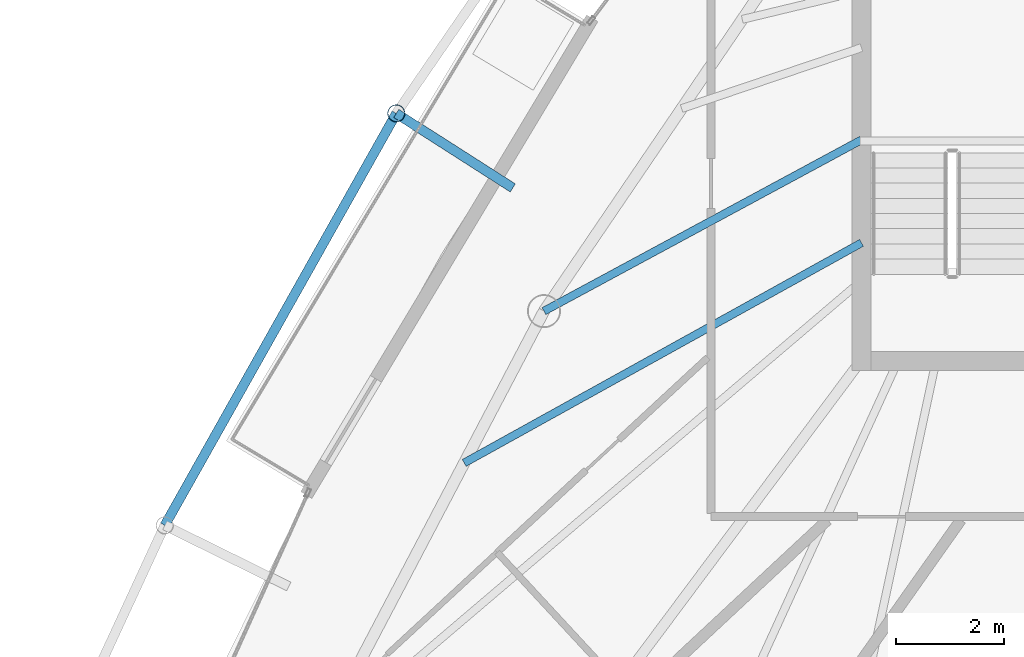
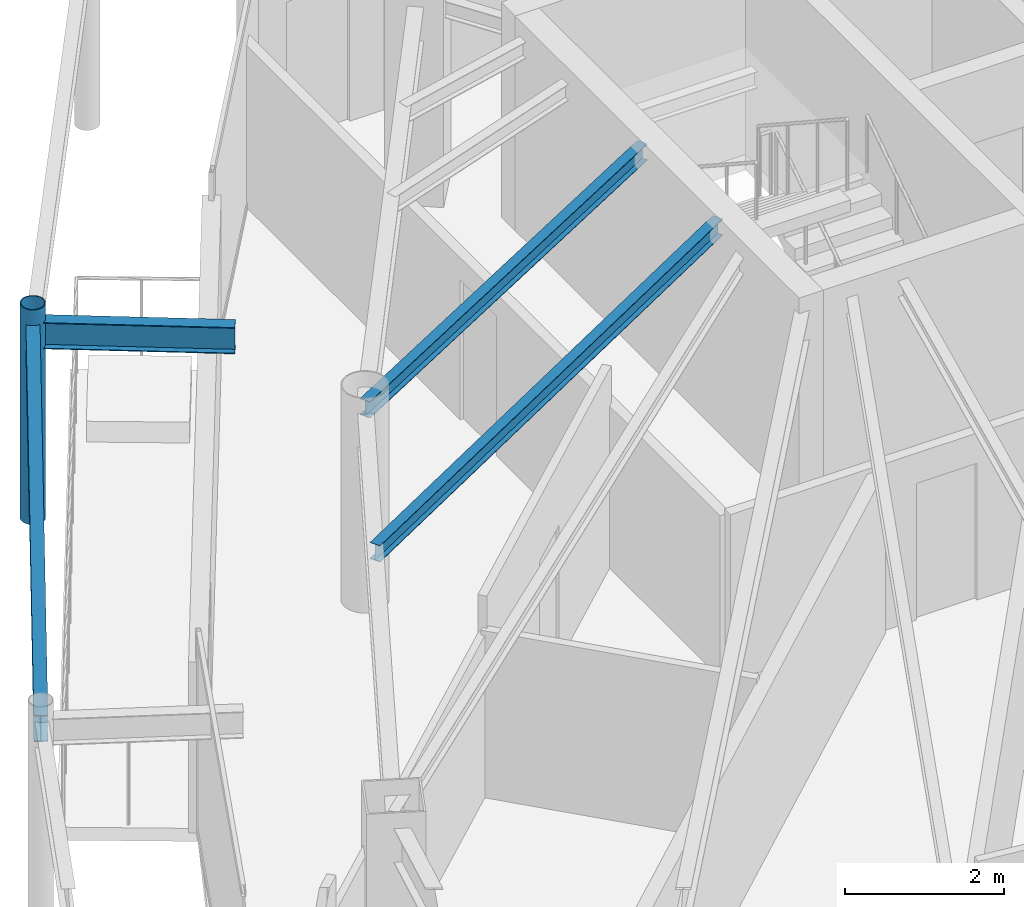
# One storey, part 11 of 32: 4 beams, 1 member.
"""IFC4 building model written with IfcOpenShell, lengths in metres."""

from ifc_helpers import new_model, si_unit, direction, frame, origin, origin_2d, place, context, subcontext, project, spatial, hollow_circle, i_section, extrude, material, material_profile, profile_set, type_object, element, save


model = new_model("IFC4")

# Units and contexts
model_context = context("Model", 3, precision=1e-05, world=origin(), true_north=direction((0.0, 1.0)))
body_context = subcontext(model_context, "Body", "Model", "MODEL_VIEW")
ifc_project = project(units=[si_unit("LENGTHUNIT", "METRE"), si_unit("AREAUNIT", "SQUARE_METRE"), si_unit("VOLUMEUNIT", "CUBIC_METRE"), si_unit("PLANEANGLEUNIT", "RADIAN"), si_unit("MASSUNIT", "GRAM", prefix="KILO")], contexts=[model_context])

# Site, building, storey
site_placement = place(None, origin())
site = spatial("IfcSite", under=ifc_project, at=site_placement, CompositionType="ELEMENT")
building_placement = place(site_placement, origin())
building = spatial("IfcBuilding", under=site, at=building_placement, Name="Orvanel Arch Residences", CompositionType="ELEMENT")
storey_placement = place(building_placement, frame((0.0, 0.0, 216.199951171875)))
storey = spatial("IfcBuildingStorey", under=building, at=storey_placement, Name="L61", CompositionType="ELEMENT", Elevation=216.199951171875)

# Beams
ifc_material_1 = material(Name="Structural steel AS/NZS 3679.1 Grade 300 (300 MPa)", Category="steel")
ifc_material_profile_1 = material_profile(ifc_material_1, i_section(OverallWidth=0.14599609375, OverallDepth=0.251953125, WebThickness=0.006103515625, FlangeThickness=0.008544921875, at=origin_2d()), Name="250UB31.4")
ifc_profile_set_1 = profile_set([ifc_material_profile_1], Name="Structural steel AS/NZS 3679.1 Grade 300 (300 MPa)")
beam_type_1 = type_object("IfcBeamType", Name="BJ-250UB", PredefinedType="JOIST", material=ifc_profile_set_1)
beam_1_placement = place(storey_placement, frame((26.425048828125, 30.800048828125, 2.93408203125), z_axis=(-0.880111494021, -0.474767056664, 0.0), x_axis=(0.474767056664, -0.880111494021, 0.0)))
element("IfcBeam", 1, at=beam_1_placement, inside=storey, type_object=beam_type_1, Name="L61 NW Wing Floor Joist", PredefinedType="JOIST", context=body_context, shape_type="SweptSolid", body=[
    extrude(i_section(OverallWidth=0.14599609375, OverallDepth=0.251953125, WebThickness=0.006103515625, FlangeThickness=0.008544921875, at=origin_2d()), origin(), (0.0, 0.0, 1.0), 6.653564453125),
])
beam_2_placement = place(storey_placement, frame((26.425048828125, 28.89990234375, 2.93408203125), z_axis=(-0.874754673235, -0.484566054996, 0.0), x_axis=(0.484566054996, -0.874754673235, 0.0)))
element("IfcBeam", 2, at=beam_2_placement, inside=storey, type_object=beam_type_1, Name="L61 CTW Wing Floor Joist", PredefinedType="JOIST", context=body_context, shape_type="SweptSolid", body=[
    extrude(i_section(OverallWidth=0.14599609375, OverallDepth=0.251953125, WebThickness=0.006103515625, FlangeThickness=0.008544921875, at=origin_2d()), origin(), (0.0, 0.0, 1.0), 8.376220703125),
])
ifc_material_profile_2 = material_profile(ifc_material_1, i_section(OverallWidth=0.177978515625, OverallDepth=0.406005859375, WebThickness=0.0078125, FlangeThickness=0.0126953125, at=origin_2d()), Name="410UB59.7")
ifc_profile_set_2 = profile_set([ifc_material_profile_2], Name="Structural steel AS/NZS 3679.1 Grade 300 (300 MPa)")
beam_type_2 = type_object("IfcBeamType", Name="OB-410UB-EXT", PredefinedType="SPANDREL", material=ifc_profile_set_2)
beam_3_placement = place(storey_placement, frame((19.993896484375, 29.9130859375, 2.85693359375), z_axis=(-0.842389625194, 0.53886892596, 0.0), x_axis=(-0.53886892596, -0.842389625194, 0.0)))
element("IfcBeam", 3, at=beam_3_placement, inside=storey, type_object=beam_type_2, Name="L61 Outer Frame Radial Tie Beam 02", PredefinedType="SPANDREL", context=body_context, shape_type="SweptSolid", body=[
    extrude(i_section(OverallWidth=0.177978515625, OverallDepth=0.406005859375, WebThickness=0.0078125, FlangeThickness=0.0126953125, at=origin_2d()), origin(), (0.0, 0.0, 1.0), 2.5498046875),
])
beam_4_placement = place(storey_placement, frame((17.845947265625, 31.287109375, 2.85693359375), z_axis=(-0.489965941625, -0.871741576414, 0.0), x_axis=(0.871741576414, -0.489965941625, 0.0)))
element("IfcBeam", 4, at=beam_4_placement, inside=storey, type_object=beam_type_2, Name="L61 Outer Perimeter Floor Ring Beam 02", PredefinedType="SPANDREL", context=body_context, shape_type="SweptSolid", body=[
    extrude(i_section(OverallWidth=0.177978515625, OverallDepth=0.406005859375, WebThickness=0.0078125, FlangeThickness=0.0126953125, at=origin_2d()), origin(), (0.0, 0.0, 1.0), 8.71484375),
])

# Member
ifc_material_2 = material(Name="Structural steel AS/NZS 1163 C350L0 (Grade 350)", Category="steel")
ifc_material_profile_3 = material_profile(ifc_material_2, hollow_circle(Radius=0.162109375, WallThickness=0.0126953125, at=origin_2d()), Name="CHS324x12.7")
ifc_profile_set_3 = profile_set([ifc_material_profile_3], Name="Structural steel AS/NZS 1163 C350L0 (Grade 350)")
member_type = type_object("IfcMemberType", Name="ST-324CHS-EXT", PredefinedType="STRUT", material=ifc_profile_set_3)
member_placement = place(storey_placement, frame((17.845947265625, 31.287109375, 0.0), z_axis=(0.0, 0.0, 1.0), x_axis=(1.0, 0.0, 0.0)))
element("IfcMember", 5, at=member_placement, inside=storey, type_object=member_type, Name="L61 Outer Perimeter Frame Post 02", PredefinedType="STRUT", context=body_context, shape_type="SweptSolid", body=[
    extrude(hollow_circle(Radius=0.162109375, WallThickness=0.0126953125, at=origin_2d()), origin(), (0.0, 0.0, 1.0), 3.300048828125),
])

save(model, "model.ifc")
